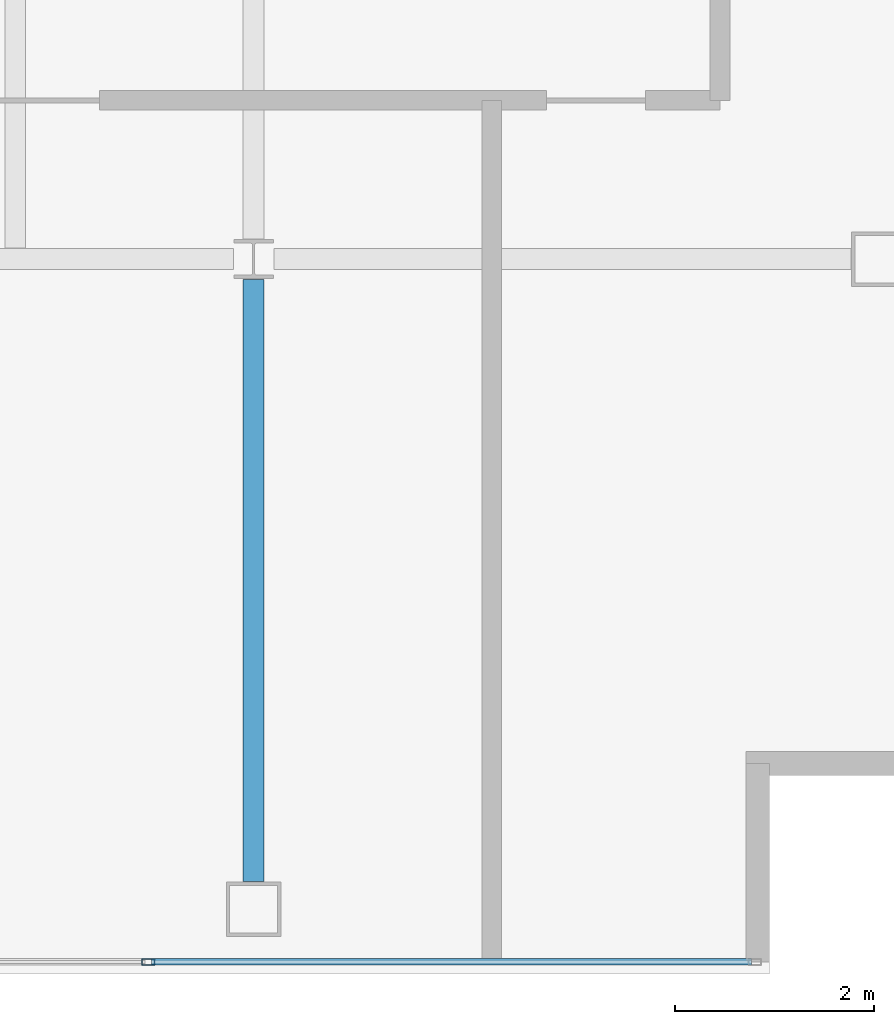
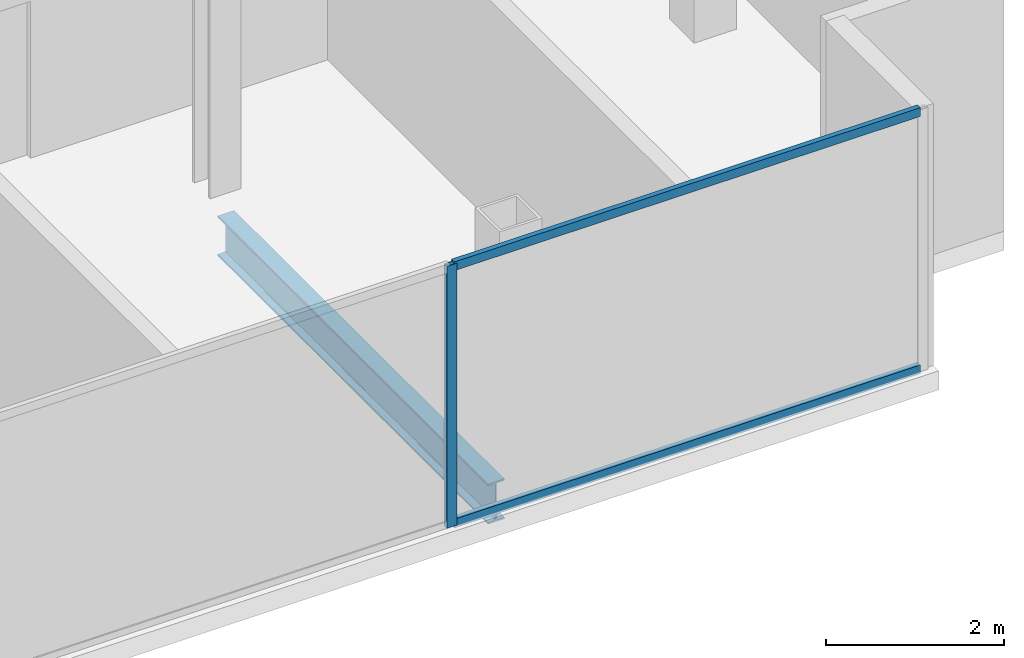
# One storey, part 4 of 15: 3 members, 1 beam, 1 element without a shape of its own.
"""IFC4 building model written with IfcOpenShell, lengths in metres."""

from ifc_helpers import new_model, si_unit, direction, frame, origin, origin_2d, place, context, subcontext, project, spatial, hollow_rectangle, i_section, extrude, material, material_profile, profile_set, type_object, element, aggregate, save


model = new_model("IFC4")

# Units and contexts
model_context = context("Model", 3, precision=1e-05, world=origin(), true_north=direction((0.0, 1.0)))
body_context = subcontext(model_context, "Body", "Model", "MODEL_VIEW")
ifc_project = project(units=[si_unit("LENGTHUNIT", "METRE"), si_unit("AREAUNIT", "SQUARE_METRE"), si_unit("VOLUMEUNIT", "CUBIC_METRE"), si_unit("PLANEANGLEUNIT", "RADIAN"), si_unit("MASSUNIT", "GRAM", prefix="KILO")], contexts=[model_context])

# Site, building, storey
site_placement = place(None, origin())
site = spatial("IfcSite", under=ifc_project, at=site_placement, CompositionType="ELEMENT")
building_placement = place(site_placement, origin())
building = spatial("IfcBuilding", under=site, at=building_placement, Name="Cobrela Telecom Tower", CompositionType="ELEMENT")
storey_placement = place(building_placement, frame((0.0, 0.0, 297.5)))
storey = spatial("IfcBuildingStorey", under=building, at=storey_placement, Name="L78", CompositionType="ELEMENT", Elevation=297.5)

# Beam
ifc_material_1 = material(Name="Steel ASTM A992 Grade 50", Category="steel")
ifc_material_profile_1 = material_profile(ifc_material_1, i_section(OverallWidth=0.212890625, OverallDepth=0.549072265625, WebThickness=0.0146484375, FlangeThickness=0.023681640625, FilletRadius=0.013916015625, at=origin_2d()), Name="W21X93")
ifc_profile_set_1 = profile_set([ifc_material_profile_1], Name="Steel ASTM A992 Grade 50")
beam_type = type_object("IfcBeamType", Name="BM-GIRD-08", PredefinedType="USERDEFINED", material=ifc_profile_set_1)
beam_placement = place(storey_placement, frame((21.60009765625, 8.1298828125, -0.534423828125), z_axis=(0.0, 1.0, 0.0), x_axis=(-1.0, 0.0, 0.0)))
element("IfcBeam", 1, at=beam_placement, inside=storey, type_object=beam_type, Name="L78 Primary Girder Y13", ObjectType="GIRDER", PredefinedType="USERDEFINED", context=body_context, shape_type="SweptSolid", body=[
    extrude(i_section(OverallWidth=0.212890625, OverallDepth=0.549072265625, WebThickness=0.0146484375, FlangeThickness=0.023681640625, FilletRadius=0.013916015625, at=origin_2d()), origin(), (0.0, 0.0, 1.0), 6.065673828125),
])

# Curtain wall, members
ifc_material_2 = material(Name="Anodized Bronze Aluminium 6063-T6", Category="aluminium")
curtain_wall_type = type_object("IfcCurtainWallType", Name="CW-SYS-DRUM", PredefinedType="USERDEFINED", material=ifc_material_2)
curtain_wall_placement = place(storey_placement, origin())
curtain_wall = element("IfcCurtainWall", 2, at=curtain_wall_placement, inside=storey, type_object=curtain_wall_type, Name="L78 Unitised Bronze Curtain Wall 11", ObjectType="UNITISED CURTAIN WALL", PredefinedType="USERDEFINED")
ifc_material_profile_2 = material_profile(ifc_material_2, hollow_rectangle(XDim=0.06494140625, YDim=0.1298828125, WallThickness=0.00390625, at=origin_2d()), Name="ALU 65x130x4")
ifc_profile_set_2 = profile_set([ifc_material_profile_2], Name="Anodized Bronze Aluminium 6063-T6")
member_type_1 = type_object("IfcMemberType", Name="CW-SYS-DRUM-MUL", PredefinedType="MULLION", material=ifc_profile_set_2)
member_1_placement = place(storey_placement, frame((20.5400390625, 7.320068359375, 0.0), z_axis=(0.0, 0.0, 1.0), x_axis=(0.0, -1.0, 0.0)))
member_1 = element("IfcMember", 3, at=member_1_placement, type_object=member_type_1, Name="CW-DRUM mullion 2", PredefinedType="MULLION", context=body_context, shape_type="SweptSolid", body=[
    extrude(hollow_rectangle(XDim=0.06494140625, YDim=0.1298828125, WallThickness=0.00390625, at=origin_2d()), origin(), (0.0, 0.0, 1.0), 3.590087890625),
])
ifc_material_profile_3 = material_profile(ifc_material_2, hollow_rectangle(XDim=0.06494140625, YDim=0.1201171875, WallThickness=0.00390625, at=origin_2d()), Name="ALU 65x120x4")
ifc_profile_set_3 = profile_set([ifc_material_profile_3], Name="Anodized Bronze Aluminium 6063-T6")
member_type_2 = type_object("IfcMemberType", Name="CW-SYS-DRUM-TRN", PredefinedType="USERDEFINED", material=ifc_profile_set_3)
member_2_placement = place(storey_placement, frame((26.614990234375, 7.320068359375, 0.032470703125), z_axis=(-1.0, 0.0, 0.0), x_axis=(0.0, -1.0, 0.0)))
member_2 = element("IfcMember", 4, at=member_2_placement, type_object=member_type_2, Name="CW-DRUM transom 1.1", ObjectType="TRANSOM", PredefinedType="USERDEFINED", context=body_context, shape_type="SweptSolid", body=[
    extrude(hollow_rectangle(XDim=0.06494140625, YDim=0.1201171875, WallThickness=0.00390625, at=origin_2d()), origin(), (0.0, 0.0, 1.0), 6.04248046875),
])
member_3_placement = place(storey_placement, frame((26.614990234375, 7.320068359375, 3.5576171875), z_axis=(-1.0, 0.0, 0.0), x_axis=(0.0, -1.0, 0.0)))
member_3 = element("IfcMember", 5, at=member_3_placement, type_object=member_type_2, Name="CW-DRUM transom 1.2", ObjectType="TRANSOM", PredefinedType="USERDEFINED", context=body_context, shape_type="SweptSolid", body=[
    extrude(hollow_rectangle(XDim=0.06494140625, YDim=0.1201171875, WallThickness=0.00390625, at=origin_2d()), origin(), (0.0, 0.0, 1.0), 6.04248046875),
])
aggregate(curtain_wall, [member_1, member_2, member_3])

save(model, "model.ifc")
